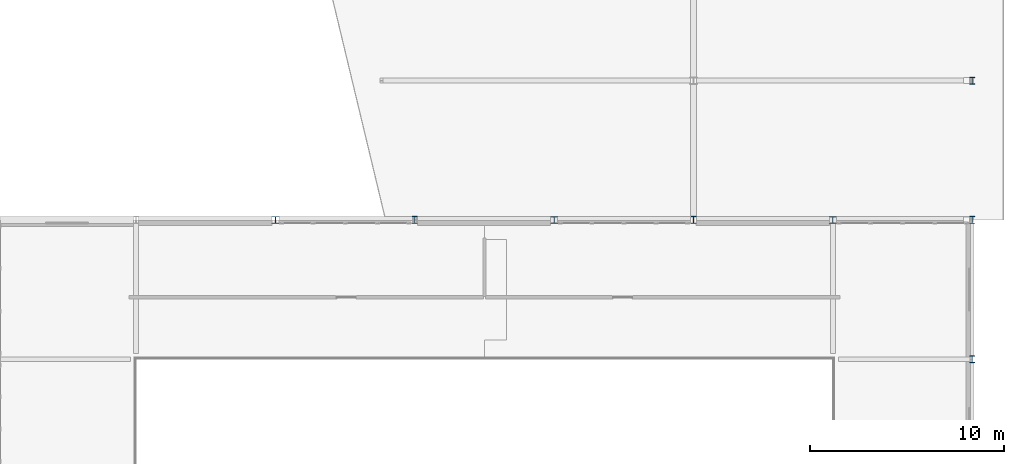
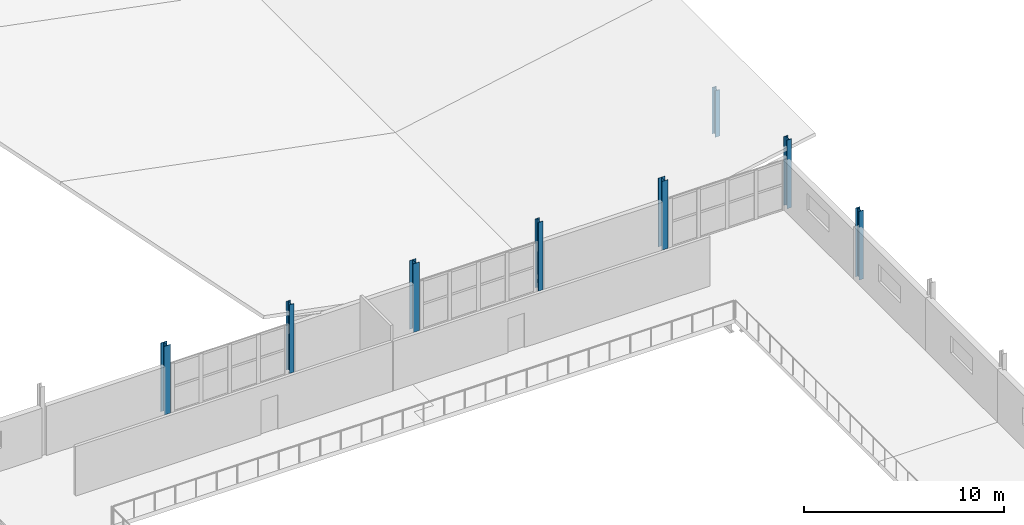
# One storey, part 18 of 94: 8 columns.
"""IFC4 building model written with IfcOpenShell, lengths in metres."""

from ifc_helpers import new_model, si_unit, direction, frame, origin, origin_2d, place, context, subcontext, project, spatial, i_section, extrude, material, material_profile, profile_set, type_object, element, save


model = new_model("IFC4")

# Units and contexts
model_context = context("Model", 3, precision=1e-05, world=origin(), true_north=direction((0.0, 1.0)))
body_context = subcontext(model_context, "Body", "Model", "MODEL_VIEW")
ifc_project = project(units=[si_unit("LENGTHUNIT", "METRE"), si_unit("AREAUNIT", "SQUARE_METRE"), si_unit("VOLUMEUNIT", "CUBIC_METRE"), si_unit("PLANEANGLEUNIT", "RADIAN"), si_unit("MASSUNIT", "GRAM", prefix="KILO")], contexts=[model_context])

# Site, building, storey
site_placement = place(None, origin())
site = spatial("IfcSite", under=ifc_project, at=site_placement, CompositionType="ELEMENT")
building_placement = place(site_placement, origin())
building = spatial("IfcBuilding", under=site, at=building_placement, Name="Kalmorath City Hall", CompositionType="ELEMENT")
storey_placement = place(building_placement, frame((0.0, 0.0, 14.699951171875)))
storey = spatial("IfcBuildingStorey", under=building, at=storey_placement, Name="L03", CompositionType="ELEMENT", Elevation=14.699951171875)

# Columns
ifc_material_1 = material(Name="Steel ASTM A992 Grade 50", Category="steel")
ifc_material_profile_1 = material_profile(ifc_material_1, i_section(OverallWidth=0.256103515625, OverallDepth=0.360107421875, WebThickness=0.011474609375, FlangeThickness=0.02001953125, FilletRadius=0.014892578125, at=origin_2d()), Name="W14X74")
ifc_profile_set_1 = profile_set([ifc_material_profile_1], Name="Steel ASTM A992 Grade 50")
column_type_1 = type_object("IfcColumnType", Name="Steel wide-flange column W14X74", PredefinedType="COLUMN", material=ifc_profile_set_1)
for number, where, z_axis, x_axis, name in (
    (1, (136.800048828125, 43.199951171875, 0.0), (0.0, 0.0, 1.0), (1.0, 0.0, 0.0), "L03 column SC4 (20/7)"),
    (2, (151.199951171875, 43.199951171875, 0.0), (0.0, 0.0, 1.0), (1.0, 0.0, 0.0), "L03 column SC4 (22/7)"),
    (3, (165.60009765625, 36.0, 0.0), (0.0, 0.0, 1.0), (1.0, 0.0, 0.0), "L03 column SC4 (24/6)"),
    (4, (165.60009765625, 43.199951171875, 0.0), (0.0, 0.0, 1.0), (1.0, 0.0, 0.0), "L03 column SC4 (24/7)"),
):
    element("IfcColumn", number, at=place(storey_placement, frame(where, z_axis=z_axis, x_axis=x_axis)), inside=storey, type_object=column_type_1, Name=name, PredefinedType="COLUMN", context=body_context, shape_type="SweptSolid", body=[
        extrude(i_section(OverallWidth=0.256103515625, OverallDepth=0.360107421875, WebThickness=0.011474609375, FlangeThickness=0.02001953125, FilletRadius=0.014892578125, at=origin_2d()), origin(), (0.0, 0.0, 1.0), 4.199951171875),
    ])
column_placement = place(storey_placement, frame((165.60009765625, 50.39990234375, 0.0), z_axis=(0.0, 0.0, 1.0), x_axis=(1.0, 0.0, 0.0)))
element("IfcColumn", 5, at=column_placement, inside=storey, type_object=column_type_1, Name="L03 library east eave column SC4-2", PredefinedType="COLUMN", context=body_context, shape_type="SweptSolid", body=[
    extrude(i_section(OverallWidth=0.256103515625, OverallDepth=0.360107421875, WebThickness=0.011474609375, FlangeThickness=0.02001953125, FilletRadius=0.014892578125, at=origin_2d()), origin(), (0.0, 0.0, 1.0), 2.85009765625),
])
ifc_material_2 = material(Name="Steel ASTM A992 Grade 50", Category="steel")
ifc_material_profile_2 = material_profile(ifc_material_2, i_section(OverallWidth=0.368896484375, OverallDepth=0.35595703125, WebThickness=0.01123046875, FlangeThickness=0.01806640625, FilletRadius=0.01806640625, at=origin_2d()), Name="W14X90")
ifc_profile_set_2 = profile_set([ifc_material_profile_2], Name="Steel ASTM A992 Grade 50")
column_type_2 = type_object("IfcColumnType", Name="Steel wide-flange column W14X90", PredefinedType="COLUMN", material=ifc_profile_set_2)
for number, where, z_axis, x_axis, name in (
    (6, (129.60009765625, 43.199951171875, 0.0), (0.0, 0.0, 1.0), (1.0, 0.0, 0.0), "L03 column SC3 (19/7)"),
    (7, (144.0, 43.199951171875, 0.0), (0.0, 0.0, 1.0), (1.0, 0.0, 0.0), "L03 column SC3 (21/7)"),
    (8, (158.39990234375, 43.199951171875, 0.0), (0.0, 0.0, 1.0), (1.0, 0.0, 0.0), "L03 column SC3 (23/7)"),
):
    element("IfcColumn", number, at=place(storey_placement, frame(where, z_axis=z_axis, x_axis=x_axis)), inside=storey, type_object=column_type_2, Name=name, PredefinedType="COLUMN", context=body_context, shape_type="SweptSolid", body=[
        extrude(i_section(OverallWidth=0.368896484375, OverallDepth=0.35595703125, WebThickness=0.01123046875, FlangeThickness=0.01806640625, FilletRadius=0.01806640625, at=origin_2d()), origin(), (0.0, 0.0, 1.0), 4.199951171875),
    ])

save(model, "model.ifc")
